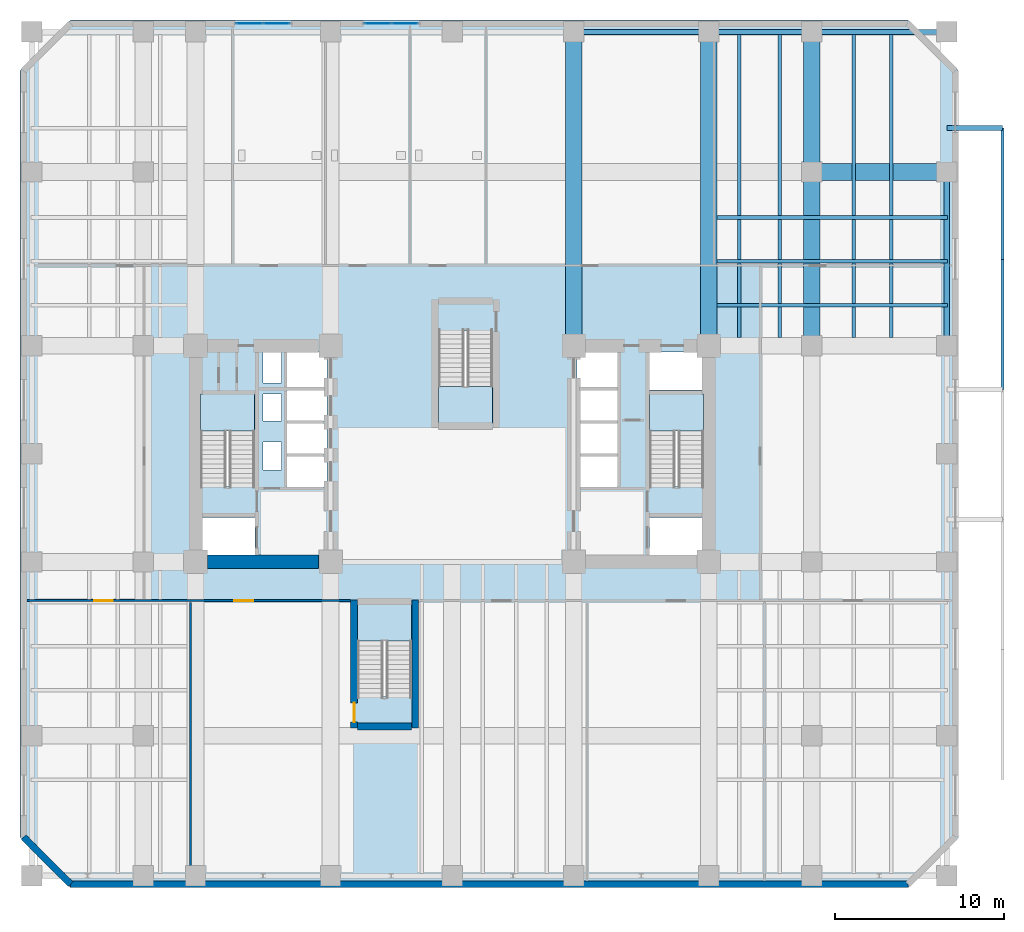
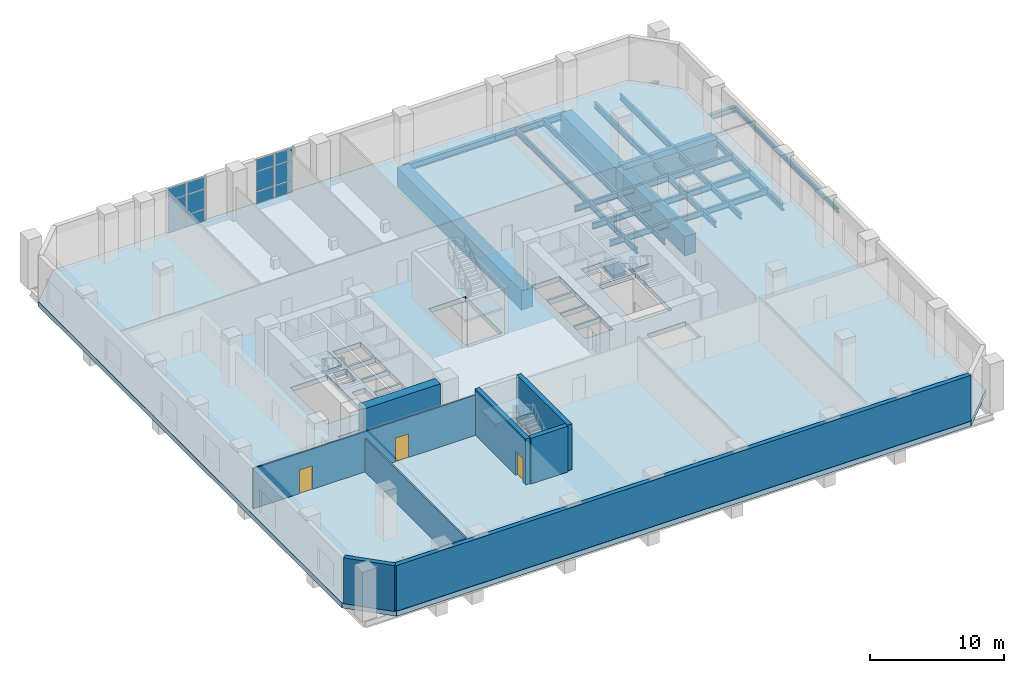
# One storey, part 6 of 15: 19 beams, 12 plates, 8 walls, 5 slabs, 3 doors, 3 openings, 6 elements without a shape of their own.
"""IFC4 building model written with IfcOpenShell, lengths in metres."""

from ifc_helpers import new_model, si_unit, direction, frame, frame_2d, origin, origin_2d, place, context, subcontext, project, spatial, polyline, rectangle, i_section, outline, extrude, material, layer, layer_set, material_profile, profile_set, type_object, element, fill, aggregate, save


model = new_model("IFC4")

# Units and contexts
model_context = context("Model", 3, precision=1e-05, world=origin(), true_north=direction((0.0, 1.0)))
body_context = subcontext(model_context, "Body", "Model", "MODEL_VIEW")
ifc_project = project(units=[si_unit("LENGTHUNIT", "METRE"), si_unit("AREAUNIT", "SQUARE_METRE"), si_unit("VOLUMEUNIT", "CUBIC_METRE"), si_unit("PLANEANGLEUNIT", "RADIAN"), si_unit("MASSUNIT", "GRAM", prefix="KILO")], contexts=[model_context])

# Site, building, storey
site_placement = place(None, origin())
site = spatial("IfcSite", under=ifc_project, at=site_placement, CompositionType="ELEMENT")
building_placement = place(site_placement, origin())
building = spatial("IfcBuilding", under=site, at=building_placement, Name="Kranthara Brick Stack", CompositionType="ELEMENT")
storey_placement = place(building_placement, frame((0.0, 0.0, 5.39990234375)))
storey = spatial("IfcBuildingStorey", under=building, at=storey_placement, Name="L01", CompositionType="ELEMENT", Elevation=5.39990234375)

# Beams
ifc_material_1 = material(Name="Steel S355", Category="steel")
ifc_material_profile_1 = material_profile(ifc_material_1, i_section(OverallWidth=0.179931640625, OverallDepth=0.39990234375, WebThickness=0.008544921875, FlangeThickness=0.013427734375, at=origin_2d()), Name="IPE 400")
ifc_profile_set_1 = profile_set([ifc_material_profile_1], Name="Steel S355")
beam_type_1 = type_object("IfcBeamType", Name="BM-JST-IPE400", PredefinedType="JOIST", material=ifc_profile_set_1)
beam_1_placement = place(storey_placement, frame((60.60009765625, 31.0, -0.64990234375), z_axis=(0.0, 1.0, 0.0), x_axis=(-1.0, 0.0, 0.0)))
element("IfcBeam", 1, at=beam_1_placement, inside=storey, type_object=beam_type_1, Name="L01 Canopy Edge Joist 103", PredefinedType="JOIST", context=body_context, shape_type="SweptSolid", body=[
    extrude(i_section(OverallWidth=0.179931640625, OverallDepth=0.39990234375, WebThickness=0.008544921875, FlangeThickness=0.013427734375, at=origin_2d()), origin(), (0.0, 0.0, 1.0), 7.699951171875),
])
beam_2_placement = place(storey_placement, frame((60.60009765625, 38.699951171875, -0.64990234375), z_axis=(0.0, 1.0, 0.0), x_axis=(-1.0, 0.0, 0.0)))
element("IfcBeam", 2, at=beam_2_placement, inside=storey, type_object=beam_type_1, Name="L01 Canopy Edge Joist 104", PredefinedType="JOIST", context=body_context, shape_type="SweptSolid", body=[
    extrude(i_section(OverallWidth=0.179931640625, OverallDepth=0.39990234375, WebThickness=0.008544921875, FlangeThickness=0.013427734375, at=origin_2d()), origin(), (0.0, 0.0, 1.0), 7.800048828125),
])
ifc_material_2 = material(Name="Steel S355", Category="steel")
ifc_material_profile_2 = material_profile(ifc_material_2, i_section(OverallWidth=0.2099609375, OverallDepth=0.550048828125, WebThickness=0.010986328125, FlangeThickness=0.01708984375, at=origin_2d()), Name="IPE 550")
ifc_profile_set_2 = profile_set([ifc_material_profile_2], Name="Steel S355")
beam_type_2 = type_object("IfcBeamType", Name="BM-JST-IPE550", PredefinedType="JOIST", material=ifc_profile_set_2)
for number, where, z_axis, x_axis, name in (
    (3, (45.0, 34.10009765625, -0.724853515625), (0.0, 1.0, 0.0), (-1.0, 0.0, 0.0), "L01 North Wing Floor Joist 075"),
    (4, (47.39990234375, 34.10009765625, -0.724853515625), (0.0, 1.0, 0.0), (-1.0, 0.0, 0.0), "L01 North Wing Floor Joist 077"),
    (5, (51.800048828125, 34.10009765625, -0.724853515625), (0.0, 1.0, 0.0), (-1.0, 0.0, 0.0), "L01 North Wing Floor Joist 079"),
    (6, (54.0, 34.10009765625, -0.724853515625), (0.0, 1.0, 0.0), (-1.0, 0.0, 0.0), "L01 North Wing Floor Joist 081"),
):
    element("IfcBeam", number, at=place(storey_placement, frame(where, z_axis=z_axis, x_axis=x_axis)), inside=storey, type_object=beam_type_2, Name=name, PredefinedType="JOIST", context=body_context, shape_type="SweptSolid", body=[
        extrude(i_section(OverallWidth=0.2099609375, OverallDepth=0.550048828125, WebThickness=0.010986328125, FlangeThickness=0.01708984375, at=origin_2d()), origin(), (0.0, 0.0, 1.0), 18.14990234375),
    ])
for number, where, z_axis, x_axis, name in (
    (7, (43.699951171875, 36.0, -0.724853515625), (1.0, 0.0, 0.0), (0.0, 1.0, 0.0), "L01 East Wing Floor Joist 091"),
    (8, (43.699951171875, 38.60009765625, -0.724853515625), (1.0, 0.0, 0.0), (0.0, 1.0, 0.0), "L01 East Wing Floor Joist 093"),
    (9, (43.699951171875, 41.199951171875, -0.724853515625), (1.0, 0.0, 0.0), (0.0, 1.0, 0.0), "L01 East Wing Floor Joist 095"),
):
    element("IfcBeam", number, at=place(storey_placement, frame(where, z_axis=z_axis, x_axis=x_axis)), inside=storey, type_object=beam_type_2, Name=name, PredefinedType="JOIST", context=body_context, shape_type="SweptSolid", body=[
        extrude(i_section(OverallWidth=0.2099609375, OverallDepth=0.550048828125, WebThickness=0.010986328125, FlangeThickness=0.01708984375, at=origin_2d()), origin(), (0.0, 0.0, 1.0), 13.650146484375),
    ])
ifc_material_3 = material(Name="Steel S355", Category="steel")
ifc_material_profile_3 = material_profile(ifc_material_3, i_section(OverallWidth=0.300048828125, OverallDepth=0.5, WebThickness=0.014404296875, FlangeThickness=0.028076171875, at=origin_2d()), Name="HEB 500")
ifc_profile_set_3 = profile_set([ifc_material_profile_3], Name="Steel S355")
beam_type_3 = type_object("IfcBeamType", Name="BM-STL-HEB500", PredefinedType="BEAM", material=ifc_profile_set_3)
beam_3_placement = place(storey_placement, frame((57.300048828125, 46.5, -0.699951171875), z_axis=(1.0, 0.0, 0.0), x_axis=(0.0, 1.0, 0.0)))
element("IfcBeam", 10, at=beam_3_placement, inside=storey, type_object=beam_type_3, Name="L01 Canopy Tie Beam 099", PredefinedType="BEAM", context=body_context, shape_type="SweptSolid", body=[
    extrude(i_section(OverallWidth=0.300048828125, OverallDepth=0.5, WebThickness=0.014404296875, FlangeThickness=0.028076171875, at=origin_2d()), origin(), (0.0, 0.0, 1.0), 3.300048828125),
])
ifc_material_4 = material(Name="Steel S355", Category="steel")
ifc_material_profile_4 = material_profile(ifc_material_4, i_section(OverallWidth=0.300048828125, OverallDepth=0.60009765625, WebThickness=0.015380859375, FlangeThickness=0.030029296875, at=origin_2d()), Name="HEB 600")
ifc_profile_set_4 = profile_set([ifc_material_profile_4], Name="Steel S355")
beam_type_4 = type_object("IfcBeamType", Name="BM-STL-HEB600", PredefinedType="BEAM", material=ifc_profile_set_4)
beam_4_placement = place(storey_placement, frame((35.199951171875, 52.199951171875, -0.75), z_axis=(1.0, 0.0, 0.0), x_axis=(0.0, 1.0, 0.0)))
element("IfcBeam", 11, at=beam_4_placement, inside=storey, type_object=beam_type_4, Name="L01 Perimeter Spandrel Beam 017", PredefinedType="BEAM", context=body_context, shape_type="SweptSolid", body=[
    extrude(i_section(OverallWidth=0.300048828125, OverallDepth=0.60009765625, WebThickness=0.015380859375, FlangeThickness=0.030029296875, at=origin_2d()), origin(), (0.0, 0.0, 1.0), 8.0),
])
beam_5_placement = place(storey_placement, frame((43.199951171875, 52.199951171875, -0.75), z_axis=(1.0, 0.0, 0.0), x_axis=(0.0, 1.0, 0.0)))
element("IfcBeam", 12, at=beam_5_placement, inside=storey, type_object=beam_type_4, Name="L01 Perimeter Spandrel Beam 018", PredefinedType="BEAM", context=body_context, shape_type="SweptSolid", body=[
    extrude(i_section(OverallWidth=0.300048828125, OverallDepth=0.60009765625, WebThickness=0.015380859375, FlangeThickness=0.030029296875, at=origin_2d()), origin(), (0.0, 0.0, 1.0), 6.10009765625),
])
beam_6_placement = place(storey_placement, frame((49.300048828125, 52.199951171875, -0.75), z_axis=(1.0, 0.0, 0.0), x_axis=(0.0, 1.0, 0.0)))
element("IfcBeam", 13, at=beam_6_placement, inside=storey, type_object=beam_type_4, Name="L01 Perimeter Spandrel Beam 019", PredefinedType="BEAM", context=body_context, shape_type="SweptSolid", body=[
    extrude(i_section(OverallWidth=0.300048828125, OverallDepth=0.60009765625, WebThickness=0.015380859375, FlangeThickness=0.030029296875, at=origin_2d()), origin(), (0.0, 0.0, 1.0), 8.0),
])
beam_7_placement = place(storey_placement, frame((57.300048828125, 33.60009765625, -0.75), z_axis=(0.0, 1.0, 0.0), x_axis=(-1.0, 0.0, 0.0)))
element("IfcBeam", 14, at=beam_7_placement, inside=storey, type_object=beam_type_4, Name="L01 Perimeter Spandrel Beam 030", PredefinedType="BEAM", context=body_context, shape_type="SweptSolid", body=[
    extrude(i_section(OverallWidth=0.300048828125, OverallDepth=0.60009765625, WebThickness=0.015380859375, FlangeThickness=0.030029296875, at=origin_2d()), origin(), (0.0, 0.0, 1.0), 10.2998046875),
])
ifc_material_5 = material(Name="Post-tensioned concrete C50/60", Category="concrete")
ifc_material_profile_5 = material_profile(ifc_material_5, rectangle(XDim=1.0, YDim=1.800048828125, at=origin_2d()), Name="PT 1000x1800")
ifc_profile_set_5 = profile_set([ifc_material_profile_5], Name="Post-tensioned concrete C50/60")
beam_type_5 = type_object("IfcBeamType", Name="BM-TR-PT1800", PredefinedType="T_BEAM", material=ifc_profile_set_5)
for number, where, z_axis, x_axis, name in (
    (15, (35.199951171875, 33.60009765625, -1.349853515625), (0.0, 1.0, 0.0), (-1.0, 0.0, 0.0), "L01 Primary Grid Girder 042"),
    (16, (43.199951171875, 33.60009765625, -1.349853515625), (0.0, 1.0, 0.0), (-1.0, 0.0, 0.0), "L01 Primary Grid Girder 044"),
):
    element("IfcBeam", number, at=place(storey_placement, frame(where, z_axis=z_axis, x_axis=x_axis)), inside=storey, type_object=beam_type_5, Name=name, PredefinedType="T_BEAM", context=body_context, shape_type="SweptSolid", body=[
        extrude(rectangle(XDim=1.0, YDim=1.800048828125, at=origin_2d()), origin(), (0.0, 0.0, 1.0), 18.599853515625),
    ])
beam_8_placement = place(storey_placement, frame((49.300048828125, 33.60009765625, -1.349853515625), z_axis=(0.0, 1.0, 0.0), x_axis=(-1.0, 0.0, 0.0)))
element("IfcBeam", 17, at=beam_8_placement, inside=storey, type_object=beam_type_5, Name="L01 Primary Grid Girder 048", PredefinedType="T_BEAM", context=body_context, shape_type="SweptSolid", body=[
    extrude(rectangle(XDim=1.0, YDim=1.800048828125, at=origin_2d()), origin(), (0.0, 0.0, 1.0), 10.2998046875),
])
beam_9_placement = place(storey_placement, frame((49.300048828125, 43.89990234375, -1.349853515625), z_axis=(0.0, 1.0, 0.0), x_axis=(-1.0, 0.0, 0.0)))
element("IfcBeam", 18, at=beam_9_placement, inside=storey, type_object=beam_type_5, Name="L01 Primary Grid Girder 049", PredefinedType="T_BEAM", context=body_context, shape_type="SweptSolid", body=[
    extrude(rectangle(XDim=1.0, YDim=1.800048828125, at=origin_2d()), origin(), (0.0, 0.0, 1.0), 8.300048828125),
])
beam_10_placement = place(storey_placement, frame((49.300048828125, 43.89990234375, -1.349853515625), z_axis=(1.0, 0.0, 0.0), x_axis=(0.0, 1.0, 0.0)))
element("IfcBeam", 19, at=beam_10_placement, inside=storey, type_object=beam_type_5, Name="L01 Primary Grid Girder 063", PredefinedType="T_BEAM", context=body_context, shape_type="SweptSolid", body=[
    extrude(rectangle(XDim=1.0, YDim=1.800048828125, at=origin_2d()), origin(), (0.0, 0.0, 1.0), 8.0),
])

# Curtain wall, plates
ifc_material_6 = material(Name="Bronze anodised aluminium and low-E glass", Category="aluminium")
ifc_layer_1 = layer(ifc_material_6, 0.219970703125)
ifc_layer_set_1 = layer_set([ifc_layer_1], Name="Bronze anodised aluminium and low-E glass")
curtain_wall_type = type_object("IfcCurtainWallType", Name="CW-SYS2-PODIUM", PredefinedType="USERDEFINED", material=ifc_layer_set_1)
curtain_wall_1_placement = place(storey_placement, origin())
curtain_wall_1 = element("IfcCurtainWall", 20, at=curtain_wall_1_placement, inside=storey, type_object=curtain_wall_type, Name="L01 Curtain Wall CW2-L01-01", ObjectType="UNITISED CURTAIN WALL", PredefinedType="USERDEFINED")
ifc_material_7 = material(Name="Double-glazed low-E vision glass", Category="glass")
ifc_layer_2 = layer(ifc_material_7, 0.028076171875)
ifc_layer_set_2 = layer_set([ifc_layer_2], Name="Double-glazed low-E vision glass")
plate_type = type_object("IfcPlateType", Name="CWP-GLZ-28", PredefinedType="CURTAIN_PANEL", material=ifc_layer_set_2)
plate_1_placement = place(storey_placement, frame((15.99365234375, 52.68994140625, 0.0751953125), z_axis=(0.0, 0.0, 1.0), x_axis=(1.0, 0.0, 0.0)))
plate_1 = element("IfcPlate", 21, at=plate_1_placement, type_object=plate_type, Name="CW panel 1.1", PredefinedType="CURTAIN_PANEL", context=body_context, shape_type="SweptSolid", body=[
    extrude(rectangle(XDim=1.53759765625, YDim=0.028076171875, at=origin_2d()), origin(), (0.0, 0.0, 1.0), 1.057861328125),
])
plate_2_placement = place(storey_placement, frame((15.99365234375, 52.68994140625, 1.2080078125), z_axis=(0.0, 0.0, 1.0), x_axis=(1.0, 0.0, 0.0)))
plate_2 = element("IfcPlate", 22, at=plate_2_placement, type_object=plate_type, Name="CW panel 1.2", PredefinedType="CURTAIN_PANEL", context=body_context, shape_type="SweptSolid", body=[
    extrude(rectangle(XDim=1.53759765625, YDim=0.028076171875, at=origin_2d()), origin(), (0.0, 0.0, 1.0), 1.76416015625),
])
plate_3_placement = place(storey_placement, frame((15.99365234375, 52.68994140625, 3.04736328125), z_axis=(0.0, 0.0, 1.0), x_axis=(1.0, 0.0, 0.0)))
plate_3 = element("IfcPlate", 23, at=plate_3_placement, type_object=plate_type, Name="CW panel 1.3", PredefinedType="CURTAIN_PANEL", context=body_context, shape_type="SweptSolid", body=[
    extrude(rectangle(XDim=1.53759765625, YDim=0.028076171875, at=origin_2d()), origin(), (0.0, 0.0, 1.0), 1.057861328125),
])
plate_4_placement = place(storey_placement, frame((17.606201171875, 52.68994140625, 0.0751953125), z_axis=(0.0, 0.0, 1.0), x_axis=(1.0, 0.0, 0.0)))
plate_4 = element("IfcPlate", 24, at=plate_4_placement, type_object=plate_type, Name="CW panel 2.1", PredefinedType="CURTAIN_PANEL", context=body_context, shape_type="SweptSolid", body=[
    extrude(rectangle(XDim=1.53759765625, YDim=0.028076171875, at=origin_2d()), origin(), (0.0, 0.0, 1.0), 1.057861328125),
])
plate_5_placement = place(storey_placement, frame((17.606201171875, 52.68994140625, 1.2080078125), z_axis=(0.0, 0.0, 1.0), x_axis=(1.0, 0.0, 0.0)))
plate_5 = element("IfcPlate", 25, at=plate_5_placement, type_object=plate_type, Name="CW panel 2.2", PredefinedType="CURTAIN_PANEL", context=body_context, shape_type="SweptSolid", body=[
    extrude(rectangle(XDim=1.53759765625, YDim=0.028076171875, at=origin_2d()), origin(), (0.0, 0.0, 1.0), 1.76416015625),
])
plate_6_placement = place(storey_placement, frame((17.606201171875, 52.68994140625, 3.04736328125), z_axis=(0.0, 0.0, 1.0), x_axis=(1.0, 0.0, 0.0)))
plate_6 = element("IfcPlate", 26, at=plate_6_placement, type_object=plate_type, Name="CW panel 2.3", PredefinedType="CURTAIN_PANEL", context=body_context, shape_type="SweptSolid", body=[
    extrude(rectangle(XDim=1.53759765625, YDim=0.028076171875, at=origin_2d()), origin(), (0.0, 0.0, 1.0), 1.057861328125),
])
aggregate(curtain_wall_1, [plate_1, plate_2, plate_3, plate_4, plate_5, plate_6])

curtain_wall_2_placement = place(storey_placement, origin())
curtain_wall_2 = element("IfcCurtainWall", 27, at=curtain_wall_2_placement, inside=storey, type_object=curtain_wall_type, Name="L01 Curtain Wall CW2-L01-02", ObjectType="UNITISED CURTAIN WALL", PredefinedType="USERDEFINED")
plate_7_placement = place(storey_placement, frame((23.59375, 52.68994140625, 0.0751953125), z_axis=(0.0, 0.0, 1.0), x_axis=(1.0, 0.0, 0.0)))
plate_7 = element("IfcPlate", 28, at=plate_7_placement, type_object=plate_type, Name="CW panel 1.1", PredefinedType="CURTAIN_PANEL", context=body_context, shape_type="SweptSolid", body=[
    extrude(rectangle(XDim=1.53759765625, YDim=0.028076171875, at=origin_2d()), origin(), (0.0, 0.0, 1.0), 1.057861328125),
])
plate_8_placement = place(storey_placement, frame((23.59375, 52.68994140625, 1.2080078125), z_axis=(0.0, 0.0, 1.0), x_axis=(1.0, 0.0, 0.0)))
plate_8 = element("IfcPlate", 29, at=plate_8_placement, type_object=plate_type, Name="CW panel 1.2", PredefinedType="CURTAIN_PANEL", context=body_context, shape_type="SweptSolid", body=[
    extrude(rectangle(XDim=1.53759765625, YDim=0.028076171875, at=origin_2d()), origin(), (0.0, 0.0, 1.0), 1.76416015625),
])
plate_9_placement = place(storey_placement, frame((23.59375, 52.68994140625, 3.04736328125), z_axis=(0.0, 0.0, 1.0), x_axis=(1.0, 0.0, 0.0)))
plate_9 = element("IfcPlate", 30, at=plate_9_placement, type_object=plate_type, Name="CW panel 1.3", PredefinedType="CURTAIN_PANEL", context=body_context, shape_type="SweptSolid", body=[
    extrude(rectangle(XDim=1.53759765625, YDim=0.028076171875, at=origin_2d()), origin(), (0.0, 0.0, 1.0), 1.057861328125),
])
plate_10_placement = place(storey_placement, frame((25.206298828125, 52.68994140625, 0.0751953125), z_axis=(0.0, 0.0, 1.0), x_axis=(1.0, 0.0, 0.0)))
plate_10 = element("IfcPlate", 31, at=plate_10_placement, type_object=plate_type, Name="CW panel 2.1", PredefinedType="CURTAIN_PANEL", context=body_context, shape_type="SweptSolid", body=[
    extrude(rectangle(XDim=1.53759765625, YDim=0.028076171875, at=origin_2d()), origin(), (0.0, 0.0, 1.0), 1.057861328125),
])
plate_11_placement = place(storey_placement, frame((25.206298828125, 52.68994140625, 1.2080078125), z_axis=(0.0, 0.0, 1.0), x_axis=(1.0, 0.0, 0.0)))
plate_11 = element("IfcPlate", 32, at=plate_11_placement, type_object=plate_type, Name="CW panel 2.2", PredefinedType="CURTAIN_PANEL", context=body_context, shape_type="SweptSolid", body=[
    extrude(rectangle(XDim=1.53759765625, YDim=0.028076171875, at=origin_2d()), origin(), (0.0, 0.0, 1.0), 1.76416015625),
])
plate_12_placement = place(storey_placement, frame((25.206298828125, 52.68994140625, 3.04736328125), z_axis=(0.0, 0.0, 1.0), x_axis=(1.0, 0.0, 0.0)))
plate_12 = element("IfcPlate", 33, at=plate_12_placement, type_object=plate_type, Name="CW panel 2.3", PredefinedType="CURTAIN_PANEL", context=body_context, shape_type="SweptSolid", body=[
    extrude(rectangle(XDim=1.53759765625, YDim=0.028076171875, at=origin_2d()), origin(), (0.0, 0.0, 1.0), 1.057861328125),
])
aggregate(curtain_wall_2, [plate_7, plate_8, plate_9, plate_10, plate_11, plate_12])

# Stair, slab
ifc_material_8 = material(Name="Concrete C45/55", Category="concrete")
stair_type = type_object("IfcStairType", Name="ST-CORE-26R", PredefinedType="HALF_TURN_STAIR", material=ifc_material_8)
stair_1_placement = place(storey_placement, origin())
stair_1 = element("IfcStair", 34, at=stair_1_placement, inside=storey, type_object=stair_type, Name="L01 West Core Protected Exit Stair ST01", PredefinedType="HALF_TURN_STAIR")
ifc_material_9 = material(Name="Concrete C45/55", Category="concrete")
ifc_layer_3 = layer(ifc_material_9, 0.199951171875)
ifc_layer_set_3 = layer_set([ifc_layer_3], Name="Concrete C45/55")
slab_type_1 = type_object("IfcSlabType", Name="SLB-LANDING-200", PredefinedType="LANDING", material=ifc_layer_set_3)
slab_1_placement = place(storey_placement, frame((0.0, 0.0, 2.050048828125)))
slab_1 = element("IfcSlab", 35, at=slab_1_placement, type_object=slab_type_1, Name="ST01 landing 1", PredefinedType="LANDING", context=body_context, shape_type="SweptSolid", body=[
    extrude(outline(polyline([(16.300048828125, 28.56005859375), (16.300048828125, 30.75), (13.10009765625, 30.75), (13.10009765625, 28.56005859375), (16.300048828125, 28.56005859375)])), origin(), (0.0, 0.0, 1.0), 0.199951171875),
])
aggregate(stair_1, [slab_1])

stair_2_placement = place(storey_placement, origin())
stair_2 = element("IfcStair", 36, at=stair_2_placement, inside=storey, type_object=stair_type, Name="L01 East Core Protected Exit Stair ST02", PredefinedType="HALF_TURN_STAIR")
slab_2_placement = place(storey_placement, frame((0.0, 0.0, 2.050048828125)))
slab_2 = element("IfcSlab", 37, at=slab_2_placement, type_object=slab_type_1, Name="ST02 landing 1", PredefinedType="LANDING", context=body_context, shape_type="SweptSolid", body=[
    extrude(outline(polyline([(42.89990234375, 28.56005859375), (42.89990234375, 30.75), (39.699951171875, 30.75), (39.699951171875, 28.56005859375), (42.89990234375, 28.56005859375)])), origin(), (0.0, 0.0, 1.0), 0.199951171875),
])
aggregate(stair_2, [slab_2])

stair_3_placement = place(storey_placement, origin())
stair_3 = element("IfcStair", 38, at=stair_3_placement, inside=storey, type_object=stair_type, Name="L01 Podium South Protected Exit Stair ST03", PredefinedType="HALF_TURN_STAIR")
slab_3_placement = place(storey_placement, frame((0.0, 0.0, 2.050048828125)))
slab_3 = element("IfcSlab", 39, at=slab_3_placement, type_object=slab_type_1, Name="ST03 landing 1", PredefinedType="LANDING", context=body_context, shape_type="SweptSolid", body=[
    extrude(outline(polyline([(25.60009765625, 16.110107421875), (25.60009765625, 18.300048828125), (22.39990234375, 18.300048828125), (22.39990234375, 16.110107421875), (25.60009765625, 16.110107421875)])), origin(), (0.0, 0.0, 1.0), 0.199951171875),
])
aggregate(stair_3, [slab_3])

stair_4_placement = place(storey_placement, origin())
stair_4 = element("IfcStair", 40, at=stair_4_placement, inside=storey, type_object=stair_type, Name="L01 Podium North Protected Exit Stair ST04", PredefinedType="HALF_TURN_STAIR")
slab_4_placement = place(storey_placement, frame((0.0, 0.0, 2.050048828125)))
slab_4 = element("IfcSlab", 41, at=slab_4_placement, type_object=slab_type_1, Name="ST04 landing 1", PredefinedType="LANDING", context=body_context, shape_type="SweptSolid", body=[
    extrude(outline(polyline([(27.199951171875, 31.18994140625), (27.199951171875, 29.0), (30.39990234375, 29.0), (30.39990234375, 31.18994140625), (27.199951171875, 31.18994140625)])), origin(), (0.0, 0.0, 1.0), 0.199951171875),
])
aggregate(stair_4, [slab_4])

# Slab
ifc_material_10 = material(Name="Post-tensioned concrete C50/60", Category="concrete")
ifc_layer_4 = layer(ifc_material_10, 0.449951171875)
ifc_layer_set_4 = layer_set([ifc_layer_4], Name="Post-tensioned concrete C50/60")
slab_type_2 = type_object("IfcSlabType", Name="SLB-TRANS-450", PredefinedType="FLOOR", material=ifc_layer_set_4)
slab_5_placement = place(storey_placement, frame((0.0, 0.0, -0.449951171875)))
element("IfcSlab", 42, at=slab_5_placement, inside=storey, type_object=slab_type_2, Name="L01 Structural Floor Plate", PredefinedType="FLOOR", context=body_context, shape_type="SweptSolid", body=[
    extrude(outline(polyline([(5.39990234375, 1.5), (55.0, 1.5), (58.0, 4.5), (58.0, 49.89990234375), (55.0, 52.89990234375), (5.39990234375, 52.89990234375), (2.39990234375, 49.89990234375), (2.39990234375, 4.5), (5.39990234375, 1.5)]), holes=[polyline([(13.10009765625, 25.280029296875), (16.300048828125, 25.280029296875), (16.300048828125, 30.75), (13.10009765625, 30.75), (13.10009765625, 25.280029296875)]), polyline([(39.699951171875, 25.280029296875), (42.89990234375, 25.280029296875), (42.89990234375, 30.75), (39.699951171875, 30.75), (39.699951171875, 25.280029296875)]), polyline([(22.39990234375, 12.830078125), (25.60009765625, 12.830078125), (25.60009765625, 18.300048828125), (22.39990234375, 18.300048828125), (22.39990234375, 12.830078125)]), polyline([(27.199951171875, 29.0), (30.39990234375, 29.0), (30.39990234375, 34.469970703125), (27.199951171875, 34.469970703125), (27.199951171875, 29.0)]), polyline([(13.0, 21.179931640625), (16.320068359375, 21.179931640625), (16.320068359375, 23.419921875), (13.0, 23.419921875), (13.0, 21.179931640625)]), polyline([(39.679931640625, 21.179931640625), (43.0, 21.179931640625), (43.0, 23.419921875), (39.679931640625, 23.419921875), (39.679931640625, 21.179931640625)]), polyline([(39.679931640625, 30.97998046875), (43.0, 30.97998046875), (43.0, 33.219970703125), (39.679931640625, 33.219970703125), (39.679931640625, 30.97998046875)]), polyline([(18.199951171875, 25.25), (20.60009765625, 25.25), (20.60009765625, 27.050048828125), (18.199951171875, 27.050048828125), (18.199951171875, 25.25)]), polyline([(18.199951171875, 27.199951171875), (20.60009765625, 27.199951171875), (20.60009765625, 29.0), (18.199951171875, 29.0), (18.199951171875, 27.199951171875)]), polyline([(18.199951171875, 29.14990234375), (20.60009765625, 29.14990234375), (20.60009765625, 30.949951171875), (18.199951171875, 30.949951171875), (18.199951171875, 29.14990234375)]), polyline([(35.39990234375, 25.25), (37.800048828125, 25.25), (37.800048828125, 27.050048828125), (35.39990234375, 27.050048828125), (35.39990234375, 25.25)]), polyline([(35.39990234375, 27.199951171875), (37.800048828125, 27.199951171875), (37.800048828125, 29.0), (35.39990234375, 29.0), (35.39990234375, 27.199951171875)]), polyline([(35.39990234375, 29.14990234375), (37.800048828125, 29.14990234375), (37.800048828125, 30.949951171875), (35.39990234375, 30.949951171875), (35.39990234375, 29.14990234375)]), polyline([(18.199951171875, 31.14990234375), (20.60009765625, 31.14990234375), (20.60009765625, 33.219970703125), (18.199951171875, 33.219970703125), (18.199951171875, 31.14990234375)]), polyline([(35.39990234375, 31.14990234375), (37.800048828125, 31.14990234375), (37.800048828125, 33.219970703125), (35.39990234375, 33.219970703125), (35.39990234375, 31.14990234375)]), polyline([(16.800048828125, 26.25), (17.89990234375, 26.25), (17.89990234375, 27.89990234375), (16.800048828125, 27.89990234375), (16.800048828125, 26.25)]), polyline([(16.800048828125, 29.14990234375), (17.89990234375, 29.14990234375), (17.89990234375, 30.75), (16.800048828125, 30.75), (16.800048828125, 29.14990234375)]), polyline([(16.800048828125, 31.39990234375), (17.89990234375, 31.39990234375), (17.89990234375, 33.25), (16.800048828125, 33.25), (16.800048828125, 31.39990234375)])]), origin(), (0.0, 0.0, 1.0), 0.449951171875),
])

# Walls
ifc_material_11 = material(Name="Kiln-fired clay brick masonry M15", Category="masonry")
ifc_layer_5 = layer(ifc_material_11, 0.3798828125)
ifc_layer_set_5 = layer_set([ifc_layer_5], Name="Kiln-fired clay brick masonry M15")
wall_type_1 = type_object("IfcWallType", Name="WL-BRK-PIER-380", PredefinedType="STANDARD", material=ifc_layer_set_5)
wall_1_placement = place(storey_placement, frame((55.0, 1.7099609375, 0.0), z_axis=(0.0, 0.0, 1.0), x_axis=(-1.0, 0.0, 0.0)))
element("IfcWall", 43, at=wall_1_placement, inside=storey, type_object=wall_type_1, Name="L01 Exterior Brick Facade Wall SOUTH 1", PredefinedType="STANDARD", context=body_context, shape_type="SweptSolid", body=[
    extrude(rectangle(XDim=49.60009765625, YDim=0.3798828125, at=frame_2d((24.800048828125, 0.0))), origin(), (0.0, 0.0, 1.0), 4.18017578125),
])
wall_2_placement = place(storey_placement, frame((5.39990234375, 1.7099609375, 0.0), z_axis=(0.0, 0.0, 1.0), x_axis=(-0.707075841688, 0.707137719332, 0.0)))
element("IfcWall", 44, at=wall_2_placement, inside=storey, type_object=wall_type_1, Name="L01 Exterior Brick Facade Wall SW 1", PredefinedType="STANDARD", context=body_context, shape_type="SweptSolid", body=[
    extrude(rectangle(XDim=3.945556640625, YDim=0.3798828125, at=frame_2d((1.97265625, 0.0))), origin(), (0.0, 0.0, 1.0), 4.18017578125),
])

# Wall, opening, door
ifc_material_12 = material(Name="Concrete C50/60", Category="concrete")
ifc_layer_6 = layer(ifc_material_12, 0.39990234375)
ifc_layer_set_6 = layer_set([ifc_layer_6], Name="Concrete C50/60")
wall_type_2 = type_object("IfcWallType", Name="WL-CORE-400", PredefinedType="SHEAR", material=ifc_layer_set_6)
wall_3_placement = place(storey_placement, frame((22.18994140625, 10.949951171875, 0.0), z_axis=(0.0, 0.0, 1.0), x_axis=(0.0, 1.0, 0.0)))
wall_3 = element("IfcWall", 45, at=wall_3_placement, inside=storey, type_object=wall_type_2, Name="L01 Stair ST03 Bearing Wall W", PredefinedType="SHEAR", context=body_context, shape_type="SweptSolid", body=[
    extrude(rectangle(XDim=7.60009765625, YDim=0.39990234375, at=frame_2d((3.800048828125, 0.0))), origin(), (0.0, 0.0, 1.0), 4.18017578125),
])
opening_1_placement = place(wall_3_placement, frame((0.35009765625, 0.0, 0.0)))
opening_1 = element("IfcOpeningElement", 46, at=opening_1_placement, cuts=wall_3, Name="Opening D05", PredefinedType="OPENING", context=body_context, shape_type="SweptSolid", body=[
    extrude(rectangle(XDim=1.14990234375, YDim=2.14990234375, at=frame_2d((0.574951171875, 1.074951171875))), frame((0.0, 0.2099609375, 0.0), z_axis=(0.0, -1.0, 0.0), x_axis=(1.0, 0.0, 0.0)), (0.0, 0.0, 1.0), 0.419921875),
])
ifc_material_13 = material(Name="Solid-core hardwood timber leaf in steel frame", Category="steel")
door_type_1 = type_object("IfcDoorType", Name="DR-ST-1150", OperationType="NOTDEFINED", PredefinedType="DOOR", material=ifc_material_13)
door_1_placement = place(opening_1_placement, origin())
door_1 = element("IfcDoor", 47, at=door_1_placement, inside=storey, type_object=door_type_1, Name="L01 Stair ST03 Door", OperationType="SINGLE_SWING_LEFT", OverallHeight=2.14990234375, OverallWidth=1.14990234375, PredefinedType="DOOR", context=body_context, shape_type="SweptSolid", body=[
    extrude(rectangle(XDim=1.14990234375, YDim=2.14990234375, at=frame_2d((0.574951171875, 1.074951171875))), frame((0.0, 0.02490234375, 0.0), z_axis=(0.0, -1.0, 0.0), x_axis=(1.0, 0.0, 0.0)), (0.0, 0.0, 1.0), 0.050048828125),
])
fill(opening_1, door_1)

# Walls
wall_4_placement = place(storey_placement, frame((25.81005859375, 10.949951171875, 0.0), z_axis=(0.0, 0.0, 1.0), x_axis=(0.0, 1.0, 0.0)))
element("IfcWall", 48, at=wall_4_placement, inside=storey, type_object=wall_type_2, Name="L01 Stair ST03 Bearing Wall E", PredefinedType="SHEAR", context=body_context, shape_type="SweptSolid", body=[
    extrude(rectangle(XDim=7.60009765625, YDim=0.39990234375, at=frame_2d((3.800048828125, 0.0))), origin(), (0.0, 0.0, 1.0), 4.18017578125),
])
wall_5_placement = place(storey_placement, frame((22.39990234375, 11.050048828125, 0.0), z_axis=(0.0, 0.0, 1.0), x_axis=(1.0, 0.0, 0.0)))
element("IfcWall", 49, at=wall_5_placement, inside=storey, type_object=wall_type_2, Name="L01 Stair ST03 Bearing Wall S", PredefinedType="SHEAR", context=body_context, shape_type="SweptSolid", body=[
    extrude(rectangle(XDim=3.2001953125, YDim=0.39990234375, at=frame_2d((1.60009765625, 0.0))), origin(), (0.0, 0.0, 1.0), 4.18017578125),
])
ifc_material_14 = material(Name="Concrete C70/85", Category="concrete")
ifc_layer_7 = layer(ifc_material_14, 0.800048828125)
ifc_layer_set_7 = layer_set([ifc_layer_7], Name="Concrete C70/85")
wall_type_3 = type_object("IfcWallType", Name="WL-CORE-800", PredefinedType="SHEAR", material=ifc_layer_set_7)
wall_6_placement = place(storey_placement, frame((13.5048828125, 20.800048828125, 0.0), z_axis=(0.0, 0.0, 1.0), x_axis=(1.0, 0.0, 0.0)))
element("IfcWall", 50, at=wall_6_placement, inside=storey, type_object=wall_type_3, Name="L01 West Core Shear Wall South", PredefinedType="SHEAR", context=body_context, shape_type="SweptSolid", body=[
    extrude(rectangle(XDim=6.590087890625, YDim=0.800048828125, at=frame_2d((3.294921875, 0.0))), origin(), (0.0, 0.0, 1.0), 4.18017578125),
])

# Wall, openings, doors
ifc_material_15 = material(Name="Acoustic gypsum plasterboard partition", Category="other")
ifc_layer_8 = layer(ifc_material_15, 0.1201171875)
ifc_layer_set_8 = layer_set([ifc_layer_8], Name="Acoustic gypsum plasterboard partition")
wall_type_4 = type_object("IfcWallType", Name="WL-PART-120", PredefinedType="PARTITIONING", material=ifc_layer_set_8)
wall_7_placement = place(storey_placement, frame((2.804931640625, 18.5, 0.0), z_axis=(0.0, 0.0, 1.0), x_axis=(1.0, 0.0, 0.0)))
wall_7 = element("IfcWall", 51, at=wall_7_placement, inside=storey, type_object=wall_type_4, Name="L01 Interior Partition 004", PredefinedType="PARTITIONING", context=body_context, shape_type="SweptSolid", body=[
    extrude(rectangle(XDim=19.18017578125, YDim=0.1201171875, at=frame_2d((9.590087890625, 0.0))), origin(), (0.0, 0.0, 1.0), 3.6650390625),
])
opening_2_placement = place(wall_7_placement, frame((4.0, 0.0, 0.0)))
opening_2 = element("IfcOpeningElement", 52, at=opening_2_placement, cuts=wall_7, Name="Opening D11", PredefinedType="OPENING", context=body_context, shape_type="SweptSolid", body=[
    extrude(rectangle(XDim=1.10009765625, YDim=2.14990234375, at=frame_2d((0.550048828125, 1.074951171875))), frame((0.0, 0.070068359375, 0.0), z_axis=(0.0, -1.0, 0.0), x_axis=(1.0, 0.0, 0.0)), (0.0, 0.0, 1.0), 0.14013671875),
])
opening_3_placement = place(wall_7_placement, frame((12.300048828125, 0.0, 0.0)))
opening_3 = element("IfcOpeningElement", 53, at=opening_3_placement, cuts=wall_7, Name="Opening D11", PredefinedType="OPENING", context=body_context, shape_type="SweptSolid", body=[
    extrude(rectangle(XDim=1.10009765625, YDim=2.14990234375, at=frame_2d((0.550048828125, 1.074951171875))), frame((0.0, 0.070068359375, 0.0), z_axis=(0.0, -1.0, 0.0), x_axis=(1.0, 0.0, 0.0)), (0.0, 0.0, 1.0), 0.14013671875),
])
ifc_material_16 = material(Name="Solid-core hardwood timber leaf in steel frame", Category="steel")
door_type_2 = type_object("IfcDoorType", Name="DR-INT-1100", OperationType="NOTDEFINED", PredefinedType="DOOR", material=ifc_material_16)
door_2_placement = place(opening_2_placement, origin())
door_2 = element("IfcDoor", 54, at=door_2_placement, inside=storey, type_object=door_type_2, Name="L01 Gallery West 04", OperationType="SINGLE_SWING_RIGHT", OverallHeight=2.14990234375, OverallWidth=1.10009765625, PredefinedType="DOOR", context=body_context, shape_type="SweptSolid", body=[
    extrude(rectangle(XDim=1.10009765625, YDim=2.14990234375, at=frame_2d((0.550048828125, 1.074951171875))), frame((0.0, 0.02490234375, 0.0), z_axis=(0.0, -1.0, 0.0), x_axis=(1.0, 0.0, 0.0)), (0.0, 0.0, 1.0), 0.050048828125),
])
fill(opening_2, door_2)
door_3_placement = place(opening_3_placement, origin())
door_3 = element("IfcDoor", 55, at=door_3_placement, inside=storey, type_object=door_type_2, Name="L01 Conference Suite 05", OperationType="SINGLE_SWING_LEFT", OverallHeight=2.14990234375, OverallWidth=1.10009765625, PredefinedType="DOOR", context=body_context, shape_type="SweptSolid", body=[
    extrude(rectangle(XDim=1.10009765625, YDim=2.14990234375, at=frame_2d((0.550048828125, 1.074951171875))), frame((0.0, 0.02490234375, 0.0), z_axis=(0.0, -1.0, 0.0), x_axis=(1.0, 0.0, 0.0)), (0.0, 0.0, 1.0), 0.050048828125),
])
fill(opening_3, door_3)

# Wall
wall_8_placement = place(storey_placement, frame((12.5, 1.905029296875, 0.0), z_axis=(0.0, 0.0, 1.0), x_axis=(0.0, 1.0, 0.0)))
element("IfcWall", 56, at=wall_8_placement, inside=storey, type_object=wall_type_4, Name="L01 Interior Partition 006", PredefinedType="PARTITIONING", context=body_context, shape_type="SweptSolid", body=[
    extrude(rectangle(XDim=16.494873046875, YDim=0.1201171875, at=frame_2d((8.24755859375, 0.0))), origin(), (0.0, 0.0, 1.0), 3.065185546875),
])

save(model, "model.ifc")
